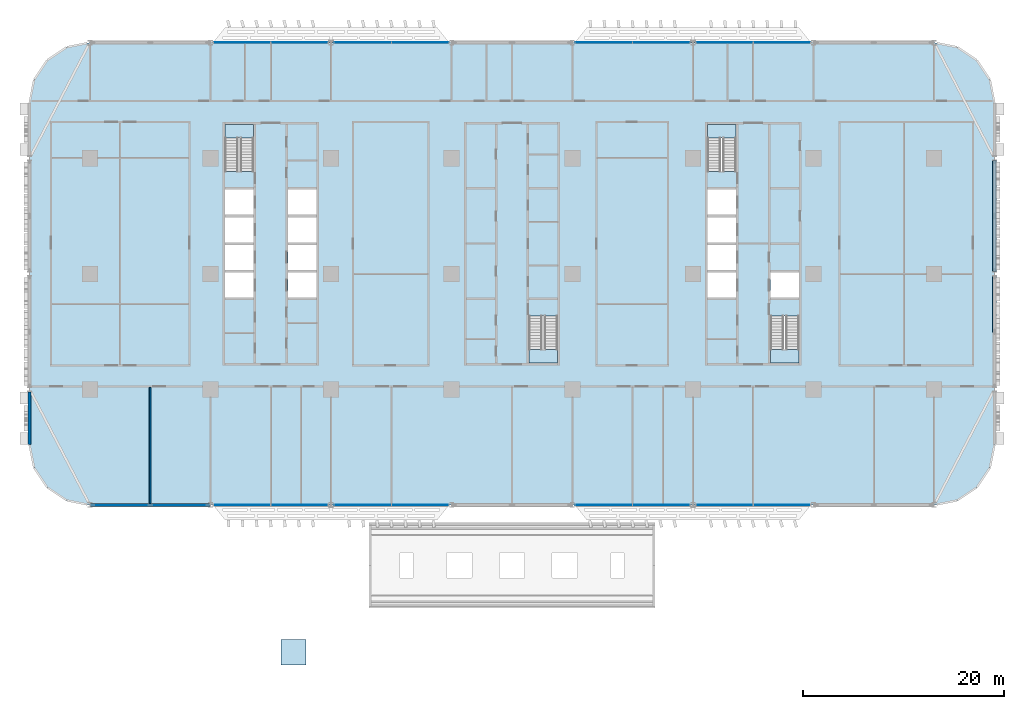
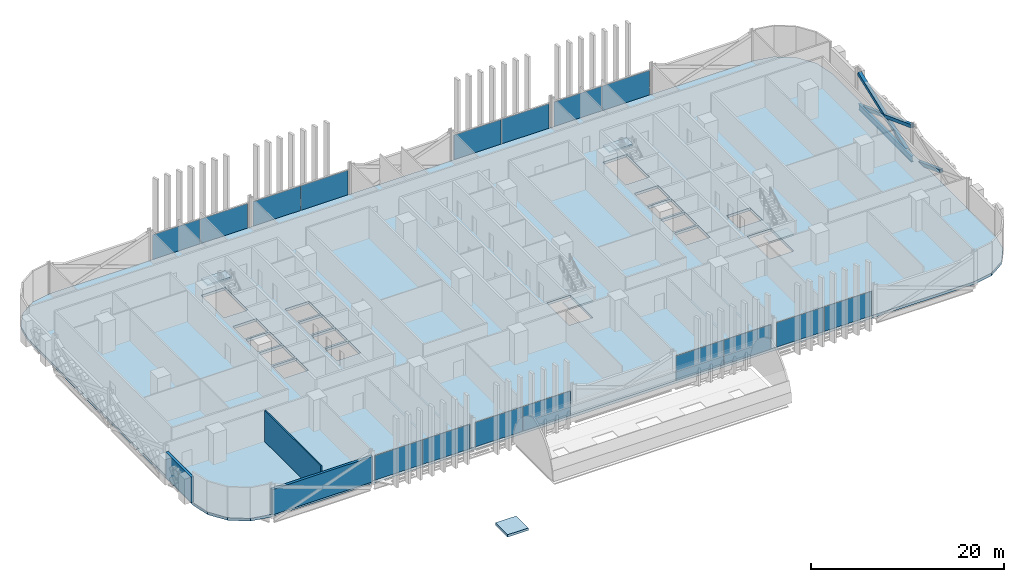
# One storey, part 9 of 31: 16 plates, 6 slabs, 4 members, 3 walls, 1 beam, 12 elements without a shape of their own.
"""IFC4 building model written with IfcOpenShell, lengths in metres."""

from ifc_helpers import new_model, si_unit, direction, frame, frame_2d, origin, origin_2d, place, context, subcontext, project, spatial, polyline, rectangle, hollow_rectangle, i_section, outline, extrude, material, layer, layer_set, material_profile, profile_set, type_object, element, aggregate, save


model = new_model("IFC4")

# Units and contexts
model_context = context("Model", 3, precision=1e-05, world=origin(), true_north=direction((0.0, 1.0)))
body_context = subcontext(model_context, "Body", "Model", "MODEL_VIEW")
ifc_project = project(units=[si_unit("LENGTHUNIT", "METRE"), si_unit("AREAUNIT", "SQUARE_METRE"), si_unit("VOLUMEUNIT", "CUBIC_METRE"), si_unit("PLANEANGLEUNIT", "RADIAN"), si_unit("MASSUNIT", "GRAM", prefix="KILO")], contexts=[model_context])

# Site, building, storey
site_placement = place(None, origin())
site = spatial("IfcSite", under=ifc_project, at=site_placement, CompositionType="ELEMENT")
building_placement = place(site_placement, origin())
building = spatial("IfcBuilding", under=site, at=building_placement, Name="Mahtab Terrace Research Tower", CompositionType="ELEMENT")
storey_placement = place(building_placement, frame((0.0, 0.0, 11.5)))
storey = spatial("IfcBuildingStorey", under=building, at=storey_placement, Name="L02", CompositionType="ELEMENT", Elevation=11.5)

# Members
ifc_material_1 = material(Name="Steel ASTM A500 Gr C", Category="steel")
ifc_material_profile_1 = material_profile(ifc_material_1, hollow_rectangle(XDim=0.406494140625, YDim=0.406494140625, WallThickness=0.01904296875, at=origin_2d()), Name="HSS16X16X3/4")
ifc_profile_set_1 = profile_set([ifc_material_profile_1], Name="Steel ASTM A500 Gr C")
member_type = type_object("IfcMemberType", Name="HSS 16x16x3/4 brace XB161634", PredefinedType="BRACE", material=ifc_profile_set_1)
member_1_placement = place(storey_placement, frame((48.0, -0.248779296875, -0.62548828125), z_axis=(0.0, -0.936655054788, 0.350253206038), x_axis=(1.0, 0.0, 0.0)))
element("IfcMember", 1, at=member_1_placement, inside=storey, type_object=member_type, Name="Exoskeleton brace L02 20 b1", PredefinedType="BRACE", context=body_context, shape_type="SweptSolid", body=[
    extrude(hollow_rectangle(XDim=0.406494140625, YDim=0.406494140625, WallThickness=0.01904296875, at=origin_2d()), origin(), (0.0, 0.0, 1.0), 5.873291015625),
])
member_2_placement = place(storey_placement, frame((48.0, 0.248779296875, -0.62548828125), z_axis=(0.0, 0.936661873217, 0.350234971499), x_axis=(-1.0, 0.0, 0.0)))
element("IfcMember", 2, at=member_2_placement, inside=storey, type_object=member_type, Name="Exoskeleton brace L02 21 a", PredefinedType="BRACE", context=body_context, shape_type="SweptSolid", body=[
    extrude(hollow_rectangle(XDim=0.406494140625, YDim=0.406494140625, WallThickness=0.01904296875, at=origin_2d()), origin(), (0.0, 0.0, 1.0), 11.746337890625),
])
for number, where, z_axis, x_axis, name in (
    (3, (48.0, 11.251220703125, -0.62548828125), (0.0, -0.936655054788, 0.350253206038), (1.0, 0.0, 0.0), "Exoskeleton brace L02 21 b1"),
    (4, (48.0, 5.75, 1.431640625), (0.0, -0.936668691391, 0.350216736563), (1.0, 0.0, 0.0), "Exoskeleton brace L02 21 b2"),
):
    element("IfcMember", number, at=place(storey_placement, frame(where, z_axis=z_axis, x_axis=x_axis)), inside=storey, type_object=member_type, Name=name, PredefinedType="BRACE", context=body_context, shape_type="SweptSolid", body=[
        extrude(hollow_rectangle(XDim=0.406494140625, YDim=0.406494140625, WallThickness=0.01904296875, at=origin_2d()), origin(), (0.0, 0.0, 1.0), 5.873291015625),
    ])

# Beam
ifc_material_2 = material(Name="Steel ASTM A992 Gr 50", Category="steel")
ifc_material_profile_2 = material_profile(ifc_material_2, i_section(OverallWidth=0.2666015625, OverallDepth=0.7568359375, WebThickness=0.013916015625, FlangeThickness=0.019287109375, at=origin_2d()), Name="W30X108")
ifc_profile_set_2 = profile_set([ifc_material_profile_2], Name="Steel ASTM A992 Gr 50")
beam_type = type_object("IfcBeamType", Name="W30x108 beam BS30108", PredefinedType="BEAM", material=ifc_profile_set_2)
beam_placement = place(storey_placement, frame((48.0, 0.248779296875, -0.718505859375), z_axis=(0.0, 1.0, 0.0), x_axis=(-1.0, 0.0, 0.0)))
element("IfcBeam", 5, at=beam_placement, inside=storey, type_object=beam_type, Name="Spandrel beam L02 21", PredefinedType="BEAM", context=body_context, shape_type="SweptSolid", body=[
    extrude(i_section(OverallWidth=0.2666015625, OverallDepth=0.7568359375, WebThickness=0.013916015625, FlangeThickness=0.019287109375, at=origin_2d()), origin(), (0.0, 0.0, 1.0), 11.00244140625),
])

# Stair, slab
ifc_material_3 = material(Name="Exit stair half-turn")
stair_type = type_object("IfcStairType", Name="Exit stair half-turn", PredefinedType="HALF_TURN_STAIR", material=ifc_material_3)
stair_1_placement = place(storey_placement, origin())
stair_1 = element("IfcStair", 6, at=stair_1_placement, inside=storey, type_object=stair_type, Name="L02 Protected exit stair ST1", PredefinedType="HALF_TURN_STAIR")
ifc_material_4 = material(Name="Concrete C40/50", Category="concrete")
ifc_layer_1 = layer(ifc_material_4, 0.199951171875)
ifc_layer_set_1 = layer_set([ifc_layer_1], Name="Exit stair landing 200")
slab_type_1 = type_object("IfcSlabType", Name="Exit stair landing 200", PredefinedType="LANDING", material=ifc_layer_set_1)
slab_1_placement = place(storey_placement, frame((0.0, 0.0, 1.949951171875)))
slab_1 = element("IfcSlab", 7, at=slab_1_placement, type_object=slab_type_1, Name="ST1 landing 1", PredefinedType="LANDING", context=body_context, shape_type="SweptSolid", body=[
    extrude(outline(polyline([(-25.699951171875, 13.534912109375), (-25.699951171875, 14.875), (-28.550048828125, 14.875), (-28.550048828125, 13.534912109375), (-25.699951171875, 13.534912109375)])), origin(), (0.0, 0.0, 1.0), 0.199951171875),
])
aggregate(stair_1, [slab_1])

stair_2_placement = place(storey_placement, origin())
stair_2 = element("IfcStair", 8, at=stair_2_placement, inside=storey, type_object=stair_type, Name="L02 Protected exit stair ST2", PredefinedType="HALF_TURN_STAIR")
slab_2_placement = place(storey_placement, frame((0.0, 0.0, 1.949951171875)))
slab_2 = element("IfcSlab", 9, at=slab_2_placement, type_object=slab_type_1, Name="ST2 landing 1", PredefinedType="LANDING", context=body_context, shape_type="SweptSolid", body=[
    extrude(outline(polyline([(1.699951171875, -7.534912109375), (1.699951171875, -8.875), (4.550048828125, -8.875), (4.550048828125, -7.534912109375), (1.699951171875, -7.534912109375)])), origin(), (0.0, 0.0, 1.0), 0.199951171875),
])
aggregate(stair_2, [slab_2])

stair_3_placement = place(storey_placement, origin())
stair_3 = element("IfcStair", 10, at=stair_3_placement, inside=storey, type_object=stair_type, Name="L02 Protected exit stair ST3", PredefinedType="HALF_TURN_STAIR")
slab_3_placement = place(storey_placement, frame((0.0, 0.0, 1.949951171875)))
slab_3 = element("IfcSlab", 11, at=slab_3_placement, type_object=slab_type_1, Name="ST3 landing 1", PredefinedType="LANDING", context=body_context, shape_type="SweptSolid", body=[
    extrude(outline(polyline([(22.300048828125, 13.534912109375), (22.300048828125, 14.875), (19.449951171875, 14.875), (19.449951171875, 13.534912109375), (22.300048828125, 13.534912109375)])), origin(), (0.0, 0.0, 1.0), 0.199951171875),
])
aggregate(stair_3, [slab_3])

stair_4_placement = place(storey_placement, origin())
stair_4 = element("IfcStair", 12, at=stair_4_placement, inside=storey, type_object=stair_type, Name="L02 Protected exit stair ST4", PredefinedType="HALF_TURN_STAIR")
slab_4_placement = place(storey_placement, frame((0.0, 0.0, 1.949951171875)))
slab_4 = element("IfcSlab", 13, at=slab_4_placement, type_object=slab_type_1, Name="ST4 landing 1", PredefinedType="LANDING", context=body_context, shape_type="SweptSolid", body=[
    extrude(outline(polyline([(25.699951171875, -7.534912109375), (25.699951171875, -8.875), (28.550048828125, -8.875), (28.550048828125, -7.534912109375), (25.699951171875, -7.534912109375)])), origin(), (0.0, 0.0, 1.0), 0.199951171875),
])
aggregate(stair_4, [slab_4])

# Curtain wall, plates
ifc_material_5 = material(Name="Laboratory ribbon curtain wall")
curtain_wall_type = type_object("IfcCurtainWallType", Name="Laboratory ribbon curtain wall", PredefinedType="NOTDEFINED", material=ifc_material_5)
curtain_wall_1_placement = place(storey_placement, origin())
curtain_wall_1 = element("IfcCurtainWall", 14, at=curtain_wall_1_placement, inside=storey, type_object=curtain_wall_type, Name="EN.L02.3.4", PredefinedType="NOTDEFINED")
ifc_material_6 = material(Name="Dark glazing", Category="glass")
ifc_layer_2 = layer(ifc_material_6, 0.031982421875)
ifc_layer_set_2 = layer_set([ifc_layer_2], Name="Laboratory ribbon curtain wall glazing panel")
plate_type = type_object("IfcPlateType", Name="Laboratory ribbon curtain wall glazing panel", PredefinedType="CURTAIN_PANEL", material=ifc_layer_set_2)
plate_1_placement = place(storey_placement, frame((26.859130859375, 23.0, 0.0), z_axis=(0.0, 0.0, 1.0), x_axis=(-1.0, 0.0, 0.0)))
plate_1 = element("IfcPlate", 15, at=plate_1_placement, type_object=plate_type, Name="CWL-1 panel 1", PredefinedType="CURTAIN_PANEL", context=body_context, shape_type="SweptSolid", body=[
    extrude(rectangle(XDim=5.653564453125, YDim=0.031982421875, at=origin_2d()), origin(), (0.0, 0.0, 1.0), 3.10302734375),
])
plate_2_placement = place(storey_placement, frame((21.140869140625, 23.0, 0.0), z_axis=(0.0, 0.0, 1.0), x_axis=(-1.0, 0.0, 0.0)))
plate_2 = element("IfcPlate", 16, at=plate_2_placement, type_object=plate_type, Name="CWL-1 panel 2", PredefinedType="CURTAIN_PANEL", context=body_context, shape_type="SweptSolid", body=[
    extrude(rectangle(XDim=5.653564453125, YDim=0.031982421875, at=origin_2d()), origin(), (0.0, 0.0, 1.0), 3.10302734375),
])
aggregate(curtain_wall_1, [plate_1, plate_2])

curtain_wall_2_placement = place(storey_placement, origin())
curtain_wall_2 = element("IfcCurtainWall", 17, at=curtain_wall_2_placement, inside=storey, type_object=curtain_wall_type, Name="EN.L02.3.5", PredefinedType="NOTDEFINED")
plate_3_placement = place(storey_placement, frame((14.859130859375, 23.0, 0.0), z_axis=(0.0, 0.0, 1.0), x_axis=(-1.0, 0.0, 0.0)))
plate_3 = element("IfcPlate", 18, at=plate_3_placement, type_object=plate_type, Name="CWL-1 panel 1", PredefinedType="CURTAIN_PANEL", context=body_context, shape_type="SweptSolid", body=[
    extrude(rectangle(XDim=5.653564453125, YDim=0.031982421875, at=origin_2d()), origin(), (0.0, 0.0, 1.0), 3.10302734375),
])
plate_4_placement = place(storey_placement, frame((9.140869140625, 23.0, 0.0), z_axis=(0.0, 0.0, 1.0), x_axis=(-1.0, 0.0, 0.0)))
plate_4 = element("IfcPlate", 19, at=plate_4_placement, type_object=plate_type, Name="CWL-1 panel 2", PredefinedType="CURTAIN_PANEL", context=body_context, shape_type="SweptSolid", body=[
    extrude(rectangle(XDim=5.653564453125, YDim=0.031982421875, at=origin_2d()), origin(), (0.0, 0.0, 1.0), 3.10302734375),
])
aggregate(curtain_wall_2, [plate_3, plate_4])

curtain_wall_3_placement = place(storey_placement, origin())
curtain_wall_3 = element("IfcCurtainWall", 20, at=curtain_wall_3_placement, inside=storey, type_object=curtain_wall_type, Name="EN.L02.3.7", PredefinedType="NOTDEFINED")
plate_5_placement = place(storey_placement, frame((-9.140869140625, 23.0, 0.0), z_axis=(0.0, 0.0, 1.0), x_axis=(-1.0, 0.0, 0.0)))
plate_5 = element("IfcPlate", 21, at=plate_5_placement, type_object=plate_type, Name="CWL-1 panel 1", PredefinedType="CURTAIN_PANEL", context=body_context, shape_type="SweptSolid", body=[
    extrude(rectangle(XDim=5.653564453125, YDim=0.031982421875, at=origin_2d()), origin(), (0.0, 0.0, 1.0), 3.10302734375),
])
plate_6_placement = place(storey_placement, frame((-14.859130859375, 23.0, 0.0), z_axis=(0.0, 0.0, 1.0), x_axis=(-1.0, 0.0, 0.0)))
plate_6 = element("IfcPlate", 22, at=plate_6_placement, type_object=plate_type, Name="CWL-1 panel 2", PredefinedType="CURTAIN_PANEL", context=body_context, shape_type="SweptSolid", body=[
    extrude(rectangle(XDim=5.653564453125, YDim=0.031982421875, at=origin_2d()), origin(), (0.0, 0.0, 1.0), 3.10302734375),
])
aggregate(curtain_wall_3, [plate_5, plate_6])

curtain_wall_4_placement = place(storey_placement, origin())
curtain_wall_4 = element("IfcCurtainWall", 23, at=curtain_wall_4_placement, inside=storey, type_object=curtain_wall_type, Name="EN.L02.3.8", PredefinedType="NOTDEFINED")
plate_7_placement = place(storey_placement, frame((-21.140869140625, 23.0, 0.0), z_axis=(0.0, 0.0, 1.0), x_axis=(-1.0, 0.0, 0.0)))
plate_7 = element("IfcPlate", 24, at=plate_7_placement, type_object=plate_type, Name="CWL-1 panel 1", PredefinedType="CURTAIN_PANEL", context=body_context, shape_type="SweptSolid", body=[
    extrude(rectangle(XDim=5.653564453125, YDim=0.031982421875, at=origin_2d()), origin(), (0.0, 0.0, 1.0), 3.10302734375),
])
plate_8_placement = place(storey_placement, frame((-26.859130859375, 23.0, 0.0), z_axis=(0.0, 0.0, 1.0), x_axis=(-1.0, 0.0, 0.0)))
plate_8 = element("IfcPlate", 25, at=plate_8_placement, type_object=plate_type, Name="CWL-1 panel 2", PredefinedType="CURTAIN_PANEL", context=body_context, shape_type="SweptSolid", body=[
    extrude(rectangle(XDim=5.653564453125, YDim=0.031982421875, at=origin_2d()), origin(), (0.0, 0.0, 1.0), 3.10302734375),
])
aggregate(curtain_wall_4, [plate_7, plate_8])

curtain_wall_5_placement = place(storey_placement, origin())
curtain_wall_5 = element("IfcCurtainWall", 26, at=curtain_wall_5_placement, inside=storey, type_object=curtain_wall_type, Name="EN.L02.13.23", PredefinedType="NOTDEFINED")
plate_9_placement = place(storey_placement, frame((-26.859130859375, -23.0, 0.0), z_axis=(0.0, 0.0, 1.0), x_axis=(1.0, 0.0, 0.0)))
plate_9 = element("IfcPlate", 27, at=plate_9_placement, type_object=plate_type, Name="CWL-1 panel 1", PredefinedType="CURTAIN_PANEL", context=body_context, shape_type="SweptSolid", body=[
    extrude(rectangle(XDim=5.653564453125, YDim=0.031982421875, at=origin_2d()), origin(), (0.0, 0.0, 1.0), 3.10302734375),
])
plate_10_placement = place(storey_placement, frame((-21.140869140625, -23.0, 0.0), z_axis=(0.0, 0.0, 1.0), x_axis=(1.0, 0.0, 0.0)))
plate_10 = element("IfcPlate", 28, at=plate_10_placement, type_object=plate_type, Name="CWL-1 panel 2", PredefinedType="CURTAIN_PANEL", context=body_context, shape_type="SweptSolid", body=[
    extrude(rectangle(XDim=5.653564453125, YDim=0.031982421875, at=origin_2d()), origin(), (0.0, 0.0, 1.0), 3.10302734375),
])
aggregate(curtain_wall_5, [plate_9, plate_10])

curtain_wall_6_placement = place(storey_placement, origin())
curtain_wall_6 = element("IfcCurtainWall", 29, at=curtain_wall_6_placement, inside=storey, type_object=curtain_wall_type, Name="EN.L02.13.24", PredefinedType="NOTDEFINED")
plate_11_placement = place(storey_placement, frame((-14.859130859375, -23.0, 0.0), z_axis=(0.0, 0.0, 1.0), x_axis=(1.0, 0.0, 0.0)))
plate_11 = element("IfcPlate", 30, at=plate_11_placement, type_object=plate_type, Name="CWL-1 panel 1", PredefinedType="CURTAIN_PANEL", context=body_context, shape_type="SweptSolid", body=[
    extrude(rectangle(XDim=5.653564453125, YDim=0.031982421875, at=origin_2d()), origin(), (0.0, 0.0, 1.0), 3.10302734375),
])
plate_12_placement = place(storey_placement, frame((-9.140869140625, -23.0, 0.0), z_axis=(0.0, 0.0, 1.0), x_axis=(1.0, 0.0, 0.0)))
plate_12 = element("IfcPlate", 31, at=plate_12_placement, type_object=plate_type, Name="CWL-1 panel 2", PredefinedType="CURTAIN_PANEL", context=body_context, shape_type="SweptSolid", body=[
    extrude(rectangle(XDim=5.653564453125, YDim=0.031982421875, at=origin_2d()), origin(), (0.0, 0.0, 1.0), 3.10302734375),
])
aggregate(curtain_wall_6, [plate_11, plate_12])

curtain_wall_7_placement = place(storey_placement, origin())
curtain_wall_7 = element("IfcCurtainWall", 32, at=curtain_wall_7_placement, inside=storey, type_object=curtain_wall_type, Name="EN.L02.13.26", PredefinedType="NOTDEFINED")
plate_13_placement = place(storey_placement, frame((9.140869140625, -23.0, 0.0), z_axis=(0.0, 0.0, 1.0), x_axis=(1.0, 0.0, 0.0)))
plate_13 = element("IfcPlate", 33, at=plate_13_placement, type_object=plate_type, Name="CWL-1 panel 1", PredefinedType="CURTAIN_PANEL", context=body_context, shape_type="SweptSolid", body=[
    extrude(rectangle(XDim=5.653564453125, YDim=0.031982421875, at=origin_2d()), origin(), (0.0, 0.0, 1.0), 3.10302734375),
])
plate_14_placement = place(storey_placement, frame((14.859130859375, -23.0, 0.0), z_axis=(0.0, 0.0, 1.0), x_axis=(1.0, 0.0, 0.0)))
plate_14 = element("IfcPlate", 34, at=plate_14_placement, type_object=plate_type, Name="CWL-1 panel 2", PredefinedType="CURTAIN_PANEL", context=body_context, shape_type="SweptSolid", body=[
    extrude(rectangle(XDim=5.653564453125, YDim=0.031982421875, at=origin_2d()), origin(), (0.0, 0.0, 1.0), 3.10302734375),
])
aggregate(curtain_wall_7, [plate_13, plate_14])

curtain_wall_8_placement = place(storey_placement, origin())
curtain_wall_8 = element("IfcCurtainWall", 35, at=curtain_wall_8_placement, inside=storey, type_object=curtain_wall_type, Name="EN.L02.13.27", PredefinedType="NOTDEFINED")
plate_15_placement = place(storey_placement, frame((21.140869140625, -23.0, 0.0), z_axis=(0.0, 0.0, 1.0), x_axis=(1.0, 0.0, 0.0)))
plate_15 = element("IfcPlate", 36, at=plate_15_placement, type_object=plate_type, Name="CWL-1 panel 1", PredefinedType="CURTAIN_PANEL", context=body_context, shape_type="SweptSolid", body=[
    extrude(rectangle(XDim=5.653564453125, YDim=0.031982421875, at=origin_2d()), origin(), (0.0, 0.0, 1.0), 3.10302734375),
])
plate_16_placement = place(storey_placement, frame((26.859130859375, -23.0, 0.0), z_axis=(0.0, 0.0, 1.0), x_axis=(1.0, 0.0, 0.0)))
plate_16 = element("IfcPlate", 37, at=plate_16_placement, type_object=plate_type, Name="CWL-1 panel 2", PredefinedType="CURTAIN_PANEL", context=body_context, shape_type="SweptSolid", body=[
    extrude(rectangle(XDim=5.653564453125, YDim=0.031982421875, at=origin_2d()), origin(), (0.0, 0.0, 1.0), 3.10302734375),
])
aggregate(curtain_wall_8, [plate_15, plate_16])

# Slabs
ifc_layer_3 = layer(ifc_material_4, 0.340087890625)
ifc_layer_set_3 = layer_set([ifc_layer_3], Name="PT flat slab 340")
slab_type_2 = type_object("IfcSlabType", Name="PT flat slab 340", PredefinedType="FLOOR", material=ifc_layer_set_3)
slab_5_placement = place(storey_placement, frame((0.0, 0.0, -0.340087890625)))
element("IfcSlab", 38, at=slab_5_placement, inside=storey, type_object=slab_type_2, Name="Floor slab L02", PredefinedType="FLOOR", context=body_context, shape_type="SweptSolid", body=[
    extrude(outline(polyline([(47.54296875, 19.2958984375), (46.242919921875, 21.242919921875), (44.2958984375, 22.54296875), (42.0, 23.0), (-42.0, 23.0), (-44.2958984375, 22.54296875), (-46.242919921875, 21.242919921875), (-47.54296875, 19.2958984375), (-48.0, 17.0), (-48.0, -17.0), (-47.54296875, -19.2958984375), (-46.242919921875, -21.242919921875), (-44.2958984375, -22.54296875), (-42.0, -23.0), (42.0, -23.0), (44.2958984375, -22.54296875), (46.242919921875, -21.242919921875), (47.54296875, -19.2958984375), (48.0, -17.0), (48.0, 17.0), (47.54296875, 19.2958984375)]), holes=[polyline([(-28.550048828125, -2.375), (-28.550048828125, 0.125), (-25.699951171875, 0.125), (-25.699951171875, -2.375), (-28.550048828125, -2.375)]), polyline([(-22.300048828125, -2.375), (-22.300048828125, 0.125), (-19.449951171875, 0.125), (-19.449951171875, -2.375), (-22.300048828125, -2.375)]), polyline([(-28.550048828125, 0.375), (-28.550048828125, 2.875), (-25.699951171875, 2.875), (-25.699951171875, 0.375), (-28.550048828125, 0.375)]), polyline([(-22.300048828125, 0.375), (-22.300048828125, 2.875), (-19.449951171875, 2.875), (-19.449951171875, 0.375), (-22.300048828125, 0.375)]), polyline([(-28.550048828125, 3.125), (-28.550048828125, 5.625), (-25.699951171875, 5.625), (-25.699951171875, 3.125), (-28.550048828125, 3.125)]), polyline([(-22.300048828125, 3.125), (-22.300048828125, 5.625), (-19.449951171875, 5.625), (-19.449951171875, 3.125), (-22.300048828125, 3.125)]), polyline([(-28.550048828125, 5.875), (-28.550048828125, 8.375), (-25.699951171875, 8.375), (-25.699951171875, 5.875), (-28.550048828125, 5.875)]), polyline([(-22.300048828125, 5.875), (-22.300048828125, 8.375), (-19.449951171875, 8.375), (-19.449951171875, 5.875), (-22.300048828125, 5.875)]), polyline([(-28.550048828125, 10.177001953125), (-28.550048828125, 14.875), (-25.699951171875, 14.875), (-25.699951171875, 10.177001953125), (-28.550048828125, 10.177001953125)]), polyline([(1.699951171875, -8.875), (1.699951171875, -4.177001953125), (4.550048828125, -4.177001953125), (4.550048828125, -8.875), (1.699951171875, -8.875)]), polyline([(25.699951171875, -8.875), (25.699951171875, -4.177001953125), (28.550048828125, -4.177001953125), (28.550048828125, -8.875), (25.699951171875, -8.875)]), polyline([(19.449951171875, -2.375), (19.449951171875, 0.125), (22.300048828125, 0.125), (22.300048828125, -2.375), (19.449951171875, -2.375)]), polyline([(25.699951171875, -2.375), (25.699951171875, 0.125), (28.550048828125, 0.125), (28.550048828125, -2.375), (25.699951171875, -2.375)]), polyline([(19.449951171875, 0.375), (19.449951171875, 2.875), (22.300048828125, 2.875), (22.300048828125, 0.375), (19.449951171875, 0.375)]), polyline([(19.449951171875, 3.125), (19.449951171875, 5.625), (22.300048828125, 5.625), (22.300048828125, 3.125), (19.449951171875, 3.125)]), polyline([(19.449951171875, 8.375), (22.300048828125, 8.375), (22.300048828125, 5.875), (19.449951171875, 5.875), (19.449951171875, 8.375)]), polyline([(19.449951171875, 14.875), (22.300048828125, 14.875), (22.300048828125, 10.177001953125), (19.449951171875, 10.177001953125), (19.449951171875, 14.875)])]), origin(), (0.0, 0.0, 1.0), 0.340087890625),
])
ifc_layer_4 = layer(ifc_material_4, 0.300048828125)
ifc_layer_set_4 = layer_set([ifc_layer_4], Name="Public lift roof slab 300")
slab_type_3 = type_object("IfcSlabType", Name="Public lift roof slab 300", PredefinedType="ROOF", material=ifc_layer_set_4)
slab_6_placement = place(storey_placement, frame((0.0, 0.0, 0.10009765625)))
element("IfcSlab", 39, at=slab_6_placement, inside=storey, type_object=slab_type_3, Name="Public lift roof", PredefinedType="ROOF", context=body_context, shape_type="SweptSolid", body=[
    extrude(outline(polyline([(-23.0, -38.89990234375), (-20.5, -38.89990234375), (-20.5, -36.39990234375), (-23.0, -36.39990234375), (-23.0, -38.89990234375)])), origin(), (0.0, 0.0, 1.0), 0.2998046875),
])

# Walls
ifc_material_7 = material(Name="Black aluminium cladding panel", Category="aluminium")
ifc_layer_5 = layer(ifc_material_7, 0.300048828125)
ifc_layer_set_5 = layer_set([ifc_layer_5], Name="Opaque facade wall 300")
wall_type_1 = type_object("IfcWallType", Name="Opaque facade wall 300", PredefinedType="NOTDEFINED", material=ifc_layer_set_5)
wall_1_placement = place(storey_placement, frame((-48.0, -11.7490234375, 0.0), z_axis=(0.0, 0.0, 1.0), x_axis=(0.0, -1.0, 0.0)))
element("IfcWall", 40, at=wall_1_placement, inside=storey, type_object=wall_type_1, Name="Opaque facade wall L02 W17", PredefinedType="NOTDEFINED", context=body_context, shape_type="SweptSolid", body=[
    extrude(rectangle(XDim=5.2509765625, YDim=0.300048828125, at=frame_2d((2.62548828125, 0.0))), origin(), (0.0, 0.0, 1.0), 3.203125),
])
wall_2_placement = place(storey_placement, frame((-41.97216796875, -23.0, 0.0), z_axis=(0.0, 0.0, 1.0), x_axis=(1.0, 0.0, 0.0)))
element("IfcWall", 41, at=wall_2_placement, inside=storey, type_object=wall_type_1, Name="Opaque facade wall L02 S22", PredefinedType="NOTDEFINED", context=body_context, shape_type="SweptSolid", body=[
    extrude(rectangle(XDim=11.9443359375, YDim=0.300048828125, at=frame_2d((5.97216796875, 0.0))), origin(), (0.0, 0.0, 1.0), 3.203125),
])
ifc_material_8 = material(Name="Gypsum board partition on steel studs", Category="steel")
ifc_layer_6 = layer(ifc_material_8, 0.14990234375)
ifc_layer_set_6 = layer_set([ifc_layer_6], Name="WALL PARTITION 150")
wall_type_2 = type_object("IfcWallType", Name="WALL PARTITION 150", PredefinedType="PARTITIONING", material=ifc_layer_set_6)
wall_3_placement = place(storey_placement, frame((-36.0, -22.85009765625, 0.0), z_axis=(0.0, 0.0, 1.0), x_axis=(0.0, 1.0, 0.0)))
element("IfcWall", 42, at=wall_3_placement, inside=storey, type_object=wall_type_2, Name="L02-W030", PredefinedType="PARTITIONING", context=body_context, shape_type="SweptSolid", body=[
    extrude(rectangle(XDim=11.550048828125, YDim=0.14990234375, at=frame_2d((5.77490234375, 0.0))), origin(), (0.0, 0.0, 1.0), 3.9599609375),
])

save(model, "model.ifc")
